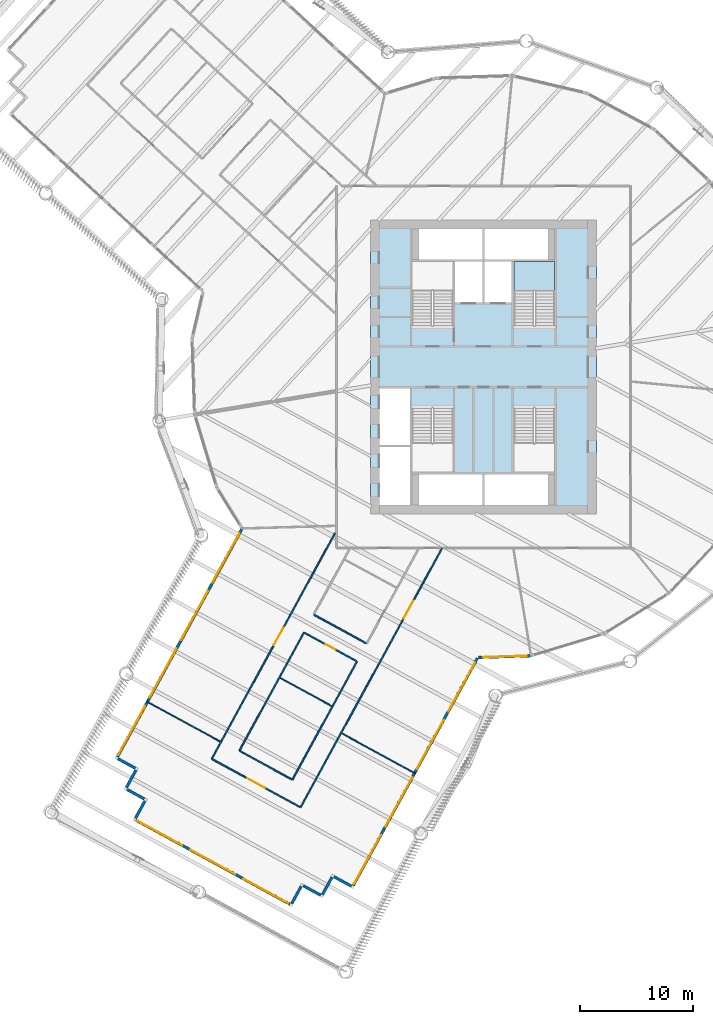
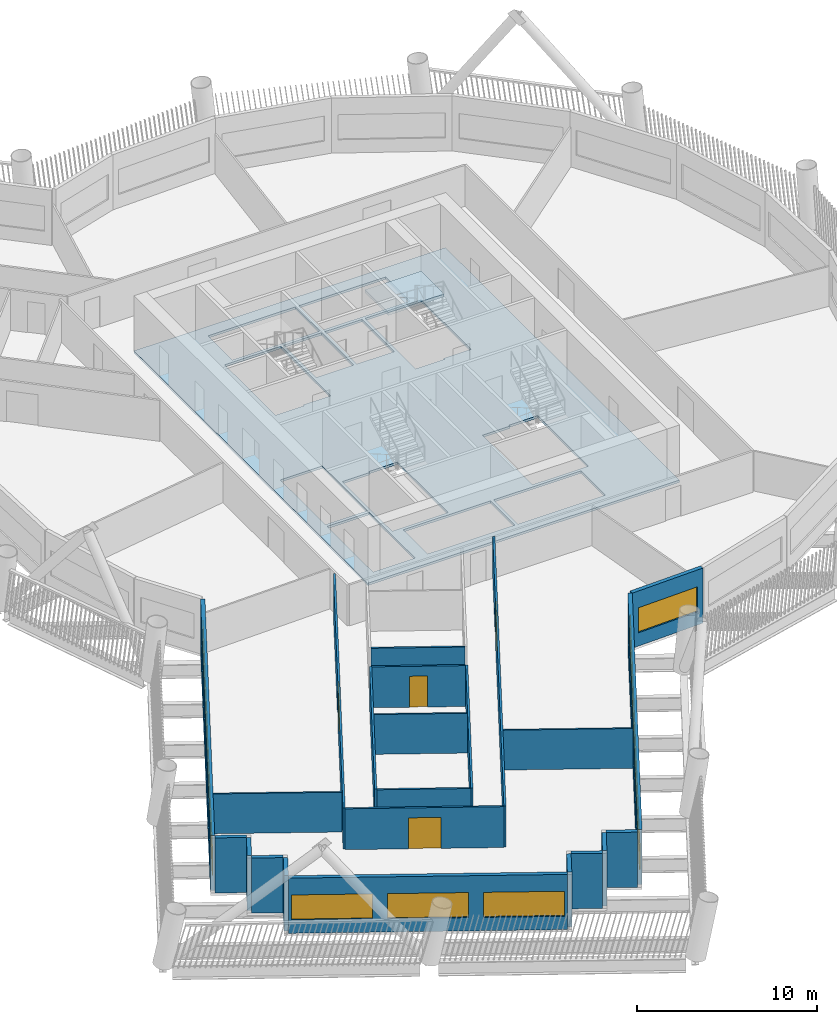
# One storey, part 3 of 24: 23 walls, 12 windows, 4 doors, 2 slabs, 16 openings, 1 element without a shape of its own.
"""IFC4 building model written with IfcOpenShell, lengths in metres."""

from ifc_helpers import new_model, si_unit, direction, frame, frame_2d, origin, place, context, subcontext, project, spatial, polyline, rectangle, outline, extrude, material, layer, layer_set, type_object, element, fill, aggregate, save


model = new_model("IFC4")

# Units and contexts
model_context = context("Model", 3, precision=1e-05, world=origin(), true_north=direction((0.0, 1.0)))
body_context = subcontext(model_context, "Body", "Model", "MODEL_VIEW")
ifc_project = project(units=[si_unit("LENGTHUNIT", "METRE"), si_unit("AREAUNIT", "SQUARE_METRE"), si_unit("VOLUMEUNIT", "CUBIC_METRE"), si_unit("PLANEANGLEUNIT", "RADIAN"), si_unit("MASSUNIT", "GRAM", prefix="KILO")], contexts=[model_context])

# Site, building, storey
site_placement = place(None, origin())
site = spatial("IfcSite", under=ifc_project, at=site_placement, CompositionType="ELEMENT")
building_placement = place(site_placement, origin())
building = spatial("IfcBuilding", under=site, at=building_placement, Name="Tarsis Ring Headquarters", CompositionType="ELEMENT")
storey_placement = place(building_placement, frame((0.0, 0.0, 92.800048828125)))
storey = spatial("IfcBuildingStorey", under=building, at=storey_placement, Name="L20", CompositionType="ELEMENT", Elevation=92.800048828125)

# Slab
ifc_material_1 = material(Name="Concrete C40/50", Category="concrete")
ifc_layer_1 = layer(ifc_material_1, 0.159912109375)
ifc_layer_set_1 = layer_set([ifc_layer_1], Name="Core floor slab 160 C40/50")
slab_type_1 = type_object("IfcSlabType", Name="Core floor slab 160 C40/50", PredefinedType="FLOOR", material=ifc_layer_set_1)
slab_1_placement = place(storey_placement, frame((0.0, 0.0, -0.16015625)))
element("IfcSlab", 1, at=slab_1_placement, inside=storey, type_object=slab_type_1, Name="L20 core floor slab", PredefinedType="FLOOR", context=body_context, shape_type="SweptSolid", body=[
    extrude(outline(polyline([(-10.0, -13.0), (10.0, -13.0), (10.0, 13.0), (-10.0, 13.0), (-10.0, -13.0)]), holes=[polyline([(-2.5, 5.699951171875), (-0.10009765625, 5.699951171875), (-0.10009765625, 9.300048828125), (-2.5, 9.300048828125), (-2.5, 5.699951171875)]), polyline([(0.10009765625, 5.699951171875), (2.5, 5.699951171875), (2.5, 9.300048828125), (0.10009765625, 9.300048828125), (0.10009765625, 5.699951171875)]), polyline([(-9.199951171875, -12.199951171875), (-6.5, -12.199951171875), (-6.5, -7.10009765625), (-9.199951171875, -7.10009765625), (-9.199951171875, -12.199951171875)]), polyline([(-9.199951171875, -6.89990234375), (-6.5, -6.89990234375), (-6.5, -1.89990234375), (-9.199951171875, -1.89990234375), (-9.199951171875, -6.89990234375)]), polyline([(-5.699951171875, 9.5), (-0.10009765625, 9.5), (-0.10009765625, 12.199951171875), (-5.699951171875, 12.199951171875), (-5.699951171875, 9.5)]), polyline([(0.10009765625, 9.5), (5.699951171875, 9.5), (5.699951171875, 12.199951171875), (0.10009765625, 12.199951171875), (0.10009765625, 9.5)]), polyline([(-5.699951171875, -12.199951171875), (-0.10009765625, -12.199951171875), (-0.10009765625, -9.5), (-5.699951171875, -9.5), (-5.699951171875, -12.199951171875)]), polyline([(0.10009765625, -12.199951171875), (5.699951171875, -12.199951171875), (5.699951171875, -9.5), (0.10009765625, -9.5), (0.10009765625, -12.199951171875)]), polyline([(-2.699951171875, 3.760009765625), (-2.699951171875, 9.300048828125), (-6.300048828125, 9.300048828125), (-6.300048828125, 3.659912109375), (-4.4599609375, 3.659912109375), (-4.4599609375, 3.760009765625), (-2.699951171875, 3.760009765625)]), polyline([(6.300048828125, 3.760009765625), (6.300048828125, 9.300048828125), (2.699951171875, 9.300048828125), (2.699951171875, 3.659912109375), (4.5400390625, 3.659912109375), (4.5400390625, 3.760009765625), (6.300048828125, 3.760009765625)]), polyline([(-6.300048828125, -3.760009765625), (-6.300048828125, -9.300048828125), (-2.699951171875, -9.300048828125), (-2.699951171875, -3.659912109375), (-4.5400390625, -3.659912109375), (-4.5400390625, -3.760009765625), (-6.300048828125, -3.760009765625)]), polyline([(2.699951171875, -3.760009765625), (2.699951171875, -9.300048828125), (6.300048828125, -9.300048828125), (6.300048828125, -3.659912109375), (4.4599609375, -3.659912109375), (4.4599609375, -3.760009765625), (2.699951171875, -3.760009765625)])]), origin(), (0.0, 0.0, 1.0), 0.16015625),
])

# Stair, slab
ifc_material_2 = material(Name="Core stair 1760")
stair_type = type_object("IfcStairType", Name="Core stair 1760", PredefinedType="HALF_TURN_STAIR", material=ifc_material_2)
stair_placement = place(storey_placement, origin())
stair = element("IfcStair", 2, at=stair_placement, inside=storey, type_object=stair_type, Name="L20 Exit stair B", PredefinedType="HALF_TURN_STAIR")
ifc_layer_2 = layer(ifc_material_1, 0.199951171875)
ifc_layer_set_2 = layer_set([ifc_layer_2], Name="Core stair landing 200")
slab_type_2 = type_object("IfcSlabType", Name="Core stair landing 200", PredefinedType="LANDING", material=ifc_layer_set_2)
slab_2_placement = place(storey_placement, frame((0.0, 0.0, 1.75)))
slab_2 = element("IfcSlab", 3, at=slab_2_placement, type_object=slab_type_2, Name="Stair ST2 landing 1", PredefinedType="LANDING", context=body_context, shape_type="SweptSolid", body=[
    extrude(outline(polyline([(6.300048828125, 6.739990234375), (6.300048828125, 9.300048828125), (2.699951171875, 9.300048828125), (2.699951171875, 6.739990234375), (6.300048828125, 6.739990234375)])), origin(), (0.0, 0.0, 1.0), 0.199951171875),
])
aggregate(stair, [slab_2])

# Walls
ifc_material_3 = material(Name="Gypsum board on steel studs", Category="steel")
ifc_layer_3 = layer(ifc_material_3, 0.10009765625)
ifc_layer_set_3 = layer_set([ifc_layer_3], Name="FL partition 100 unrated")
wall_type_1 = type_object("IfcWallType", Name="FL partition 100 unrated", PredefinedType="PARTITIONING", material=ifc_layer_set_3)
wall_1_placement = place(storey_placement, frame((-12.51318359375, -32.384765625, 0.0), z_axis=(0.0, 0.0, 1.0), x_axis=(0.877657486479, -0.479288364585, 0.0)))
element("IfcWall", 4, at=wall_1_placement, inside=storey, type_object=wall_type_1, Name="Partition PW3", PredefinedType="PARTITIONING", context=body_context, shape_type="SweptSolid", body=[
    extrude(rectangle(XDim=7.409912109375, YDim=0.10009765625, at=frame_2d((3.705078125, 0.0))), origin(), (0.0, 0.0, 1.0), 2.699951171875),
])
wall_2_placement = place(storey_placement, frame((-29.7607421875, -29.5625, 0.0), z_axis=(0.0, 0.0, 1.0), x_axis=(0.877643626901, -0.479313742929, 0.0)))
element("IfcWall", 5, at=wall_2_placement, inside=storey, type_object=wall_type_1, Name="Partition PW3", PredefinedType="PARTITIONING", context=body_context, shape_type="SweptSolid", body=[
    extrude(rectangle(XDim=7.41015625, YDim=0.10009765625, at=frame_2d((3.705078125, 0.0))), origin(), (0.0, 0.0, 1.0), 2.699951171875),
])
wall_3_placement = place(storey_placement, frame((-17.969482421875, -27.479248046875, 0.0), z_axis=(0.0, 0.0, 1.0), x_axis=(0.877642456908, -0.479315885228, 0.0)))
element("IfcWall", 6, at=wall_3_placement, inside=storey, type_object=wall_type_1, Name="Partition PW3", PredefinedType="PARTITIONING", context=body_context, shape_type="SweptSolid", body=[
    extrude(rectangle(XDim=5.199951171875, YDim=0.10009765625, at=frame_2d((2.60009765625, 0.0))), origin(), (0.0, 0.0, 1.0), 2.699951171875),
])

# Wall, opening, door
ifc_layer_4 = layer(ifc_material_3, 0.125)
ifc_layer_set_4 = layer_set([ifc_layer_4], Name="FL partition 125 EI 60 H2770")
wall_type_2 = type_object("IfcWallType", Name="FL partition 125 EI 60 H2770", PredefinedType="PARTITIONING", material=ifc_layer_set_4)
wall_4_placement = place(storey_placement, frame((-16.16455078125, -38.9248046875, 0.0), z_axis=(0.0, 0.0, 1.0), x_axis=(0.479304574972, 0.8776486338, 0.0)))
wall_4 = element("IfcWall", 7, at=wall_4_placement, inside=storey, type_object=wall_type_2, Name="Partition PW1", PredefinedType="PARTITIONING", context=body_context, shape_type="SweptSolid", body=[
    extrude(rectangle(XDim=26.12060546875, YDim=0.125, at=frame_2d((13.060302734375, 0.0))), origin(), (0.0, 0.0, 1.0), 2.77001953125),
])
opening_1_placement = place(wall_4_placement, frame((19.015380859375, 0.0, 0.0)))
opening_1 = element("IfcOpeningElement", 8, at=opening_1_placement, cuts=wall_4, Name="Opening D20.08", PredefinedType="OPENING", context=body_context, shape_type="SweptSolid", body=[
    extrude(rectangle(XDim=1.800048828125, YDim=2.10009765625, at=frame_2d((0.89990234375, 1.050048828125))), frame((0.0, 0.072509765625, 0.0), z_axis=(0.0, -1.0, 0.0), x_axis=(1.0, 0.0, 0.0)), (0.0, 0.0, 1.0), 0.14501953125),
])
ifc_material_4 = material(Name="Fire-rated timber door leaf in steel frame", Category="steel")
door_type_1 = type_object("IfcDoorType", Name="FL door FD60-1800", OperationType="DOUBLE_DOOR_SINGLE_SWING", PredefinedType="DOOR", material=ifc_material_4)
door_1_placement = place(opening_1_placement, origin())
door_1 = element("IfcDoor", 9, at=door_1_placement, inside=storey, type_object=door_type_1, Name="Door D20.08", OperationType="DOUBLE_DOOR_SINGLE_SWING", OverallHeight=2.10009765625, OverallWidth=1.800048828125, PredefinedType="DOOR", context=body_context, shape_type="SweptSolid", body=[
    extrude(rectangle(XDim=1.800048828125, YDim=2.10009765625, at=frame_2d((0.89990234375, 1.050048828125))), frame((0.0, 0.02490234375, 0.0), z_axis=(0.0, -1.0, 0.0), x_axis=(1.0, 0.0, 0.0)), (0.0, 0.0, 1.0), 0.050048828125),
])
fill(opening_1, door_1)

wall_5_placement = place(storey_placement, frame((-24.0107421875, -34.639892578125, 0.0), z_axis=(0.0, 0.0, 1.0), x_axis=(0.479300142927, 0.877651054229, 0.0)))
wall_5 = element("IfcWall", 10, at=wall_5_placement, inside=storey, type_object=wall_type_2, Name="Partition PW1", PredefinedType="PARTITIONING", context=body_context, shape_type="SweptSolid", body=[
    extrude(rectangle(XDim=22.75244140625, YDim=0.125, at=frame_2d((11.376220703125, 0.0))), origin(), (0.0, 0.0, 1.0), 2.77001953125),
])
opening_2_placement = place(wall_5_placement, frame((11.437744140625, 0.0, 0.0)))
opening_2 = element("IfcOpeningElement", 11, at=opening_2_placement, cuts=wall_5, Name="Opening D20.10", PredefinedType="OPENING", context=body_context, shape_type="SweptSolid", body=[
    extrude(rectangle(XDim=1.800048828125, YDim=2.10009765625, at=frame_2d((0.89990234375, 1.050048828125))), frame((0.0, 0.072509765625, 0.0), z_axis=(0.0, -1.0, 0.0), x_axis=(1.0, 0.0, 0.0)), (0.0, 0.0, 1.0), 0.14501953125),
])
door_2_placement = place(opening_2_placement, origin())
door_2 = element("IfcDoor", 12, at=door_2_placement, inside=storey, type_object=door_type_1, Name="Door D20.10", OperationType="DOUBLE_DOOR_SINGLE_SWING", OverallHeight=2.10009765625, OverallWidth=1.800048828125, PredefinedType="DOOR", context=body_context, shape_type="SweptSolid", body=[
    extrude(rectangle(XDim=1.800048828125, YDim=2.10009765625, at=frame_2d((0.89990234375, 1.050048828125))), frame((0.0, 0.02490234375, 0.0), z_axis=(0.0, -1.0, 0.0), x_axis=(1.0, 0.0, 0.0)), (0.0, 0.0, 1.0), 0.050048828125),
])
fill(opening_2, door_2)

# Walls
wall_6_placement = place(storey_placement, frame((-21.568115234375, -33.922607421875, 0.0), z_axis=(0.0, 0.0, 1.0), x_axis=(0.479308789937, 0.877646331895, 0.0)))
element("IfcWall", 13, at=wall_6_placement, inside=storey, type_object=wall_type_2, Name="Partition PW1", PredefinedType="PARTITIONING", context=body_context, shape_type="SweptSolid", body=[
    extrude(rectangle(XDim=11.909912109375, YDim=0.125, at=frame_2d((5.955078125, 0.0))), origin(), (0.0, 0.0, 1.0), 2.77001953125),
])
wall_7_placement = place(storey_placement, frame((-16.881591796875, -36.482177734375, 0.0), z_axis=(0.0, 0.0, 1.0), x_axis=(0.479300166865, 0.877651041157, 0.0)))
element("IfcWall", 14, at=wall_7_placement, inside=storey, type_object=wall_type_2, Name="Partition PW1", PredefinedType="PARTITIONING", context=body_context, shape_type="SweptSolid", body=[
    extrude(rectangle(XDim=11.91015625, YDim=0.125, at=frame_2d((5.955078125, 0.0))), origin(), (0.0, 0.0, 1.0), 2.77001953125),
])

# Wall, opening, door
wall_8_placement = place(storey_placement, frame((-23.9580078125, -34.66845703125, 0.0), z_axis=(0.0, 0.0, 1.0), x_axis=(0.877641563631, -0.479317520843, 0.0)))
wall_8 = element("IfcWall", 15, at=wall_8_placement, inside=storey, type_object=wall_type_2, Name="Partition PW1", PredefinedType="PARTITIONING", context=body_context, shape_type="SweptSolid", body=[
    extrude(rectangle(XDim=8.81982421875, YDim=0.125, at=frame_2d((4.409912109375, 0.0))), origin(), (0.0, 0.0, 1.0), 2.77001953125),
])
opening_3_placement = place(wall_8_placement, frame((3.510009765625, 0.0, 0.0)))
opening_3 = element("IfcOpeningElement", 16, at=opening_3_placement, cuts=wall_8, Name="Opening D20.09", PredefinedType="OPENING", context=body_context, shape_type="SweptSolid", body=[
    extrude(rectangle(XDim=1.800048828125, YDim=2.10009765625, at=frame_2d((0.89990234375, 1.050048828125))), frame((0.0, 0.072509765625, 0.0), z_axis=(0.0, -1.0, 0.0), x_axis=(1.0, 0.0, 0.0)), (0.0, 0.0, 1.0), 0.14501953125),
])
door_3_placement = place(opening_3_placement, origin())
door_3 = element("IfcDoor", 17, at=door_3_placement, inside=storey, type_object=door_type_1, Name="Door D20.09", OperationType="DOUBLE_DOOR_SINGLE_SWING", OverallHeight=2.10009765625, OverallWidth=1.800048828125, PredefinedType="DOOR", context=body_context, shape_type="SweptSolid", body=[
    extrude(rectangle(XDim=1.800048828125, YDim=2.10009765625, at=frame_2d((0.89990234375, 1.050048828125))), frame((0.0, 0.02490234375, 0.0), z_axis=(0.0, -1.0, 0.0), x_axis=(1.0, 0.0, 0.0)), (0.0, 0.0, 1.0), 0.050048828125),
])
fill(opening_3, door_3)

# Walls
wall_9_placement = place(storey_placement, frame((-14.9443359375, -21.9189453125, 0.0), z_axis=(0.0, 0.0, 1.0), x_axis=(0.877648794088, -0.479304281471, 0.0)))
element("IfcWall", 18, at=wall_9_placement, inside=storey, type_object=wall_type_2, Name="Partition PW1", PredefinedType="PARTITIONING", context=body_context, shape_type="SweptSolid", body=[
    extrude(rectangle(XDim=5.219970703125, YDim=0.125, at=frame_2d((2.60986328125, 0.0))), origin(), (0.0, 0.0, 1.0), 2.77001953125),
])
wall_10_placement = place(storey_placement, frame((-21.515625, -33.951416015625, 0.0), z_axis=(0.0, 0.0, 1.0), x_axis=(0.877639864689, -0.479320631632, 0.0)))
element("IfcWall", 19, at=wall_10_placement, inside=storey, type_object=wall_type_2, Name="Partition PW1", PredefinedType="PARTITIONING", context=body_context, shape_type="SweptSolid", body=[
    extrude(rectangle(XDim=5.22021484375, YDim=0.125, at=frame_2d((2.610107421875, 0.0))), origin(), (0.0, 0.0, 1.0), 2.77001953125),
])

# Wall, opening, door
wall_11_placement = place(storey_placement, frame((-15.80712890625, -23.498779296875, 0.0), z_axis=(0.0, 0.0, 1.0), x_axis=(0.877659538139, -0.479284607633, 0.0)))
wall_11 = element("IfcWall", 20, at=wall_11_placement, inside=storey, type_object=wall_type_2, Name="Partition PW1", PredefinedType="PARTITIONING", context=body_context, shape_type="SweptSolid", body=[
    extrude(rectangle(XDim=5.22021484375, YDim=0.125, at=frame_2d((2.610107421875, 0.0))), origin(), (0.0, 0.0, 1.0), 2.77001953125),
])
opening_4_placement = place(wall_11_placement, frame((2.110107421875, 0.0, 0.0)))
opening_4 = element("IfcOpeningElement", 21, at=opening_4_placement, cuts=wall_11, Name="Opening D20.18", PredefinedType="OPENING", context=body_context, shape_type="SweptSolid", body=[
    extrude(rectangle(XDim=1.0, YDim=2.10009765625, at=frame_2d((0.5, 1.050048828125))), frame((0.0, 0.072509765625, 0.0), z_axis=(0.0, -1.0, 0.0), x_axis=(1.0, 0.0, 0.0)), (0.0, 0.0, 1.0), 0.14501953125),
])
door_type_2 = type_object("IfcDoorType", Name="FL door FD60-1000", OperationType="NOTDEFINED", PredefinedType="DOOR", material=ifc_material_4)
door_4_placement = place(opening_4_placement, origin())
door_4 = element("IfcDoor", 22, at=door_4_placement, inside=storey, type_object=door_type_2, Name="Door D20.18", OperationType="SINGLE_SWING_RIGHT", OverallHeight=2.10009765625, OverallWidth=1.0, PredefinedType="DOOR", context=body_context, shape_type="SweptSolid", body=[
    extrude(rectangle(XDim=1.0, YDim=2.10009765625, at=frame_2d((0.5, 1.050048828125))), frame((0.0, 0.02490234375, 0.0), z_axis=(0.0, -1.0, 0.0), x_axis=(1.0, 0.0, 0.0)), (0.0, 0.0, 1.0), 0.050048828125),
])
fill(opening_4, door_4)

# Wall, openings, windows
ifc_material_5 = material(Name="Terracotta clad insulated panel wall", Category="masonry")
ifc_layer_5 = layer(ifc_material_5, 0.25)
ifc_layer_set_5 = layer_set([ifc_layer_5], Name="Facade wall terracotta panel 250")
wall_type_3 = type_object("IfcWallType", Name="Facade wall terracotta panel 250", PredefinedType="STANDARD", material=ifc_layer_set_5)
wall_12_placement = place(storey_placement, frame((-21.363525390625, -14.34326171875, 0.0), z_axis=(0.0, 0.0, 1.0), x_axis=(-0.479311749688, -0.877644715481, 0.0)))
wall_12 = element("IfcWall", 23, at=wall_12_placement, inside=storey, type_object=wall_type_3, Name="External wall L20-06", PredefinedType="STANDARD", context=body_context, shape_type="SweptSolid", body=[
    extrude(rectangle(XDim=22.922119140625, YDim=0.25, at=frame_2d((11.4609375, 0.0))), origin(), (0.0, 0.0, 1.0), 3.739990234375),
])
opening_5_placement = place(wall_12_placement, frame((0.42138671875, 0.0, 0.89990234375)))
opening_5 = element("IfcOpeningElement", 24, at=opening_5_placement, cuts=wall_12, Name="Opening WN05", PredefinedType="OPENING", context=body_context, shape_type="SweptSolid", body=[
    extrude(rectangle(XDim=4.949951171875, YDim=1.699951171875, at=frame_2d((2.47509765625, 0.85009765625))), frame((0.0, 0.135009765625, 0.0), z_axis=(0.0, -1.0, 0.0), x_axis=(1.0, 0.0, 0.0)), (0.0, 0.0, 1.0), 0.27001953125),
])
opening_6_placement = place(wall_12_placement, frame((6.214599609375, 0.0, 0.89990234375)))
opening_6 = element("IfcOpeningElement", 25, at=opening_6_placement, cuts=wall_12, Name="Opening WN05", PredefinedType="OPENING", context=body_context, shape_type="SweptSolid", body=[
    extrude(rectangle(XDim=4.949951171875, YDim=1.699951171875, at=frame_2d((2.47509765625, 0.85009765625))), frame((0.0, 0.135009765625, 0.0), z_axis=(0.0, -1.0, 0.0), x_axis=(1.0, 0.0, 0.0)), (0.0, 0.0, 1.0), 0.27001953125),
])
opening_7_placement = place(wall_12_placement, frame((12.007568359375, 0.0, 0.89990234375)))
opening_7 = element("IfcOpeningElement", 26, at=opening_7_placement, cuts=wall_12, Name="Opening WN05", PredefinedType="OPENING", context=body_context, shape_type="SweptSolid", body=[
    extrude(rectangle(XDim=4.949951171875, YDim=1.699951171875, at=frame_2d((2.47509765625, 0.85009765625))), frame((0.0, 0.135009765625, 0.0), z_axis=(0.0, -1.0, 0.0), x_axis=(1.0, 0.0, 0.0)), (0.0, 0.0, 1.0), 0.27001953125),
])
opening_8_placement = place(wall_12_placement, frame((17.800537109375, 0.0, 0.89990234375)))
opening_8 = element("IfcOpeningElement", 27, at=opening_8_placement, cuts=wall_12, Name="Opening WN05", PredefinedType="OPENING", context=body_context, shape_type="SweptSolid", body=[
    extrude(rectangle(XDim=4.949951171875, YDim=1.699951171875, at=frame_2d((2.47509765625, 0.85009765625))), frame((0.0, 0.135009765625, 0.0), z_axis=(0.0, -1.0, 0.0), x_axis=(1.0, 0.0, 0.0)), (0.0, 0.0, 1.0), 0.27001953125),
])
ifc_material_6 = material(Name="Aluminium framed double glazing", Category="aluminium")
window_type_1 = type_object("IfcWindowType", Name="Facade window 4950 x 1700", PartitioningType="SINGLE_PANEL", PredefinedType="WINDOW", material=ifc_material_6)
window_1_placement = place(opening_5_placement, origin())
window_1 = element("IfcWindow", 28, at=window_1_placement, inside=storey, type_object=window_type_1, Name="Window L20-06.1", OverallHeight=1.699951171875, OverallWidth=4.949951171875, PartitioningType="SINGLE_PANEL", PredefinedType="WINDOW", context=body_context, shape_type="SweptSolid", body=[
    extrude(rectangle(XDim=4.949951171875, YDim=1.699951171875, at=frame_2d((2.47509765625, 0.85009765625))), frame((0.0, 0.030029296875, 0.0), z_axis=(0.0, -1.0, 0.0), x_axis=(1.0, 0.0, 0.0)), (0.0, 0.0, 1.0), 0.06005859375),
])
fill(opening_5, window_1)
window_2_placement = place(opening_6_placement, origin())
window_2 = element("IfcWindow", 29, at=window_2_placement, inside=storey, type_object=window_type_1, Name="Window L20-06.2", OverallHeight=1.699951171875, OverallWidth=4.949951171875, PartitioningType="SINGLE_PANEL", PredefinedType="WINDOW", context=body_context, shape_type="SweptSolid", body=[
    extrude(rectangle(XDim=4.949951171875, YDim=1.699951171875, at=frame_2d((2.47509765625, 0.85009765625))), frame((0.0, 0.030029296875, 0.0), z_axis=(0.0, -1.0, 0.0), x_axis=(1.0, 0.0, 0.0)), (0.0, 0.0, 1.0), 0.06005859375),
])
fill(opening_6, window_2)
window_3_placement = place(opening_7_placement, origin())
window_3 = element("IfcWindow", 30, at=window_3_placement, inside=storey, type_object=window_type_1, Name="Window L20-06.3", OverallHeight=1.699951171875, OverallWidth=4.949951171875, PartitioningType="SINGLE_PANEL", PredefinedType="WINDOW", context=body_context, shape_type="SweptSolid", body=[
    extrude(rectangle(XDim=4.949951171875, YDim=1.699951171875, at=frame_2d((2.47509765625, 0.85009765625))), frame((0.0, 0.030029296875, 0.0), z_axis=(0.0, -1.0, 0.0), x_axis=(1.0, 0.0, 0.0)), (0.0, 0.0, 1.0), 0.06005859375),
])
fill(opening_7, window_3)
window_4_placement = place(opening_8_placement, origin())
window_4 = element("IfcWindow", 31, at=window_4_placement, inside=storey, type_object=window_type_1, Name="Window L20-06.4", OverallHeight=1.699951171875, OverallWidth=4.949951171875, PartitioningType="SINGLE_PANEL", PredefinedType="WINDOW", context=body_context, shape_type="SweptSolid", body=[
    extrude(rectangle(XDim=4.949951171875, YDim=1.699951171875, at=frame_2d((2.47509765625, 0.85009765625))), frame((0.0, 0.030029296875, 0.0), z_axis=(0.0, -1.0, 0.0), x_axis=(1.0, 0.0, 0.0)), (0.0, 0.0, 1.0), 0.06005859375),
])
fill(opening_8, window_4)

# Walls
for number, where, z_axis, x_axis, name in (
    (32, (-32.300537109375, -34.63037109375, 0.0), (0.0, 0.0, 1.0), (0.8776875509, -0.479233307477, 0.0), "External wall L20-07"),
    (33, (-30.71484375, -35.638671875, 0.0), (0.0, 0.0, 1.0), (-0.479233307477, -0.8776875509, 0.0), "External wall L20-08"),
    (34, (-31.50390625, -37.34423828125, 0.0), (0.0, 0.0, 1.0), (0.877628865936, -0.479340769887, 0.0), "External wall L20-09"),
    (35, (-29.918212890625, -38.3525390625, 0.0), (0.0, 0.0, 1.0), (-0.479233307477, -0.8776875509, 0.0), "External wall L20-10"),
):
    element("IfcWall", number, at=place(storey_placement, frame(where, z_axis=z_axis, x_axis=x_axis)), inside=storey, type_object=wall_type_3, Name=name, PredefinedType="STANDARD", context=body_context, shape_type="SweptSolid", body=[
        extrude(rectangle(XDim=1.75, YDim=0.25, at=frame_2d((0.875, 0.0))), origin(), (0.0, 0.0, 1.0), 3.739990234375),
    ])

# Wall, openings, windows
wall_13_placement = place(storey_placement, frame((-30.70703125, -40.05810546875, 0.0), z_axis=(0.0, 0.0, 1.0), x_axis=(0.87764865638, -0.479304533626, 0.0)))
wall_13 = element("IfcWall", 36, at=wall_13_placement, inside=storey, type_object=wall_type_3, Name="External wall L20-11", PredefinedType="STANDARD", context=body_context, shape_type="SweptSolid", body=[
    extrude(rectangle(XDim=15.5, YDim=0.25, at=frame_2d((7.75, 0.0))), origin(), (0.0, 0.0, 1.0), 3.739990234375),
])
opening_9_placement = place(wall_13_placement, frame((0.166748046875, 0.0, 0.89990234375)))
opening_9 = element("IfcOpeningElement", 37, at=opening_9_placement, cuts=wall_13, Name="Opening WN04", PredefinedType="OPENING", context=body_context, shape_type="SweptSolid", body=[
    extrude(rectangle(XDim=4.5, YDim=1.699951171875, at=frame_2d((2.25, 0.85009765625))), frame((0.0, 0.135009765625, 0.0), z_axis=(0.0, -1.0, 0.0), x_axis=(1.0, 0.0, 0.0)), (0.0, 0.0, 1.0), 0.27001953125),
])
opening_10_placement = place(wall_13_placement, frame((5.5, 0.0, 0.89990234375)))
opening_10 = element("IfcOpeningElement", 38, at=opening_10_placement, cuts=wall_13, Name="Opening WN04", PredefinedType="OPENING", context=body_context, shape_type="SweptSolid", body=[
    extrude(rectangle(XDim=4.5, YDim=1.699951171875, at=frame_2d((2.25, 0.85009765625))), frame((0.0, 0.135009765625, 0.0), z_axis=(0.0, -1.0, 0.0), x_axis=(1.0, 0.0, 0.0)), (0.0, 0.0, 1.0), 0.27001953125),
])
opening_11_placement = place(wall_13_placement, frame((10.833251953125, 0.0, 0.89990234375)))
opening_11 = element("IfcOpeningElement", 39, at=opening_11_placement, cuts=wall_13, Name="Opening WN04", PredefinedType="OPENING", context=body_context, shape_type="SweptSolid", body=[
    extrude(rectangle(XDim=4.5, YDim=1.699951171875, at=frame_2d((2.25, 0.85009765625))), frame((0.0, 0.135009765625, 0.0), z_axis=(0.0, -1.0, 0.0), x_axis=(1.0, 0.0, 0.0)), (0.0, 0.0, 1.0), 0.27001953125),
])
window_type_2 = type_object("IfcWindowType", Name="Facade window 4500 x 1700", PartitioningType="SINGLE_PANEL", PredefinedType="WINDOW", material=ifc_material_6)
window_5_placement = place(opening_9_placement, origin())
window_5 = element("IfcWindow", 40, at=window_5_placement, inside=storey, type_object=window_type_2, Name="Window L20-11.1", OverallHeight=1.699951171875, OverallWidth=4.5, PartitioningType="SINGLE_PANEL", PredefinedType="WINDOW", context=body_context, shape_type="SweptSolid", body=[
    extrude(rectangle(XDim=4.5, YDim=1.699951171875, at=frame_2d((2.25, 0.85009765625))), frame((0.0, 0.030029296875, 0.0), z_axis=(0.0, -1.0, 0.0), x_axis=(1.0, 0.0, 0.0)), (0.0, 0.0, 1.0), 0.06005859375),
])
fill(opening_9, window_5)
window_6_placement = place(opening_10_placement, origin())
window_6 = element("IfcWindow", 41, at=window_6_placement, inside=storey, type_object=window_type_2, Name="Window L20-11.2", OverallHeight=1.699951171875, OverallWidth=4.5, PartitioningType="SINGLE_PANEL", PredefinedType="WINDOW", context=body_context, shape_type="SweptSolid", body=[
    extrude(rectangle(XDim=4.5, YDim=1.699951171875, at=frame_2d((2.25, 0.85009765625))), frame((0.0, 0.030029296875, 0.0), z_axis=(0.0, -1.0, 0.0), x_axis=(1.0, 0.0, 0.0)), (0.0, 0.0, 1.0), 0.06005859375),
])
fill(opening_10, window_6)
window_7_placement = place(opening_11_placement, origin())
window_7 = element("IfcWindow", 42, at=window_7_placement, inside=storey, type_object=window_type_2, Name="Window L20-11.3", OverallHeight=1.699951171875, OverallWidth=4.5, PartitioningType="SINGLE_PANEL", PredefinedType="WINDOW", context=body_context, shape_type="SweptSolid", body=[
    extrude(rectangle(XDim=4.5, YDim=1.699951171875, at=frame_2d((2.25, 0.85009765625))), frame((0.0, 0.030029296875, 0.0), z_axis=(0.0, -1.0, 0.0), x_axis=(1.0, 0.0, 0.0)), (0.0, 0.0, 1.0), 0.06005859375),
])
fill(opening_11, window_7)

# Walls
for number, where, z_axis, x_axis, name in (
    (43, (-16.933837890625, -47.4375, 0.0), (0.0, 0.0, 1.0), (0.479233307477, 0.8776875509, 0.0), "External wall L20-12"),
    (44, (-15.925537109375, -45.851806640625, 0.0), (0.0, 0.0, 1.0), (0.877628865936, -0.479340769887, 0.0), "External wall L20-13"),
    (45, (-14.219970703125, -46.640869140625, 0.0), (0.0, 0.0, 1.0), (0.479233307477, 0.8776875509, 0.0), "External wall L20-14"),
    (46, (-13.211669921875, -45.05517578125, 0.0), (0.0, 0.0, 1.0), (0.877628865936, -0.479340769887, 0.0), "External wall L20-15"),
):
    element("IfcWall", number, at=place(storey_placement, frame(where, z_axis=z_axis, x_axis=x_axis)), inside=storey, type_object=wall_type_3, Name=name, PredefinedType="STANDARD", context=body_context, shape_type="SweptSolid", body=[
        extrude(rectangle(XDim=1.75, YDim=0.25, at=frame_2d((0.875, 0.0))), origin(), (0.0, 0.0, 1.0), 3.739990234375),
    ])

# Wall, openings, windows
wall_14_placement = place(storey_placement, frame((-11.506103515625, -45.84423828125, 0.0), z_axis=(0.0, 0.0, 1.0), x_axis=(0.479306937223, 0.877647343715, 0.0)))
wall_14 = element("IfcWall", 47, at=wall_14_placement, inside=storey, type_object=wall_type_3, Name="External wall L20-16", PredefinedType="STANDARD", context=body_context, shape_type="SweptSolid", body=[
    extrude(rectangle(XDim=22.9013671875, YDim=0.25, at=frame_2d((11.45068359375, 0.0))), origin(), (0.0, 0.0, 1.0), 3.739990234375),
])
opening_12_placement = place(wall_14_placement, frame((0.1689453125, 0.0, 0.89990234375)))
opening_12 = element("IfcOpeningElement", 48, at=opening_12_placement, cuts=wall_14, Name="Opening WN05", PredefinedType="OPENING", context=body_context, shape_type="SweptSolid", body=[
    extrude(rectangle(XDim=4.949951171875, YDim=1.699951171875, at=frame_2d((2.47509765625, 0.85009765625))), frame((0.0, 0.135009765625, 0.0), z_axis=(0.0, -1.0, 0.0), x_axis=(1.0, 0.0, 0.0)), (0.0, 0.0, 1.0), 0.27001953125),
])
opening_13_placement = place(wall_14_placement, frame((5.956787109375, 0.0, 0.89990234375)))
opening_13 = element("IfcOpeningElement", 49, at=opening_13_placement, cuts=wall_14, Name="Opening WN05", PredefinedType="OPENING", context=body_context, shape_type="SweptSolid", body=[
    extrude(rectangle(XDim=4.949951171875, YDim=1.699951171875, at=frame_2d((2.47509765625, 0.85009765625))), frame((0.0, 0.135009765625, 0.0), z_axis=(0.0, -1.0, 0.0), x_axis=(1.0, 0.0, 0.0)), (0.0, 0.0, 1.0), 0.27001953125),
])
opening_14_placement = place(wall_14_placement, frame((11.74462890625, 0.0, 0.89990234375)))
opening_14 = element("IfcOpeningElement", 50, at=opening_14_placement, cuts=wall_14, Name="Opening WN05", PredefinedType="OPENING", context=body_context, shape_type="SweptSolid", body=[
    extrude(rectangle(XDim=4.949951171875, YDim=1.699951171875, at=frame_2d((2.47509765625, 0.85009765625))), frame((0.0, 0.135009765625, 0.0), z_axis=(0.0, -1.0, 0.0), x_axis=(1.0, 0.0, 0.0)), (0.0, 0.0, 1.0), 0.27001953125),
])
opening_15_placement = place(wall_14_placement, frame((17.532470703125, 0.0, 0.89990234375)))
opening_15 = element("IfcOpeningElement", 51, at=opening_15_placement, cuts=wall_14, Name="Opening WN05", PredefinedType="OPENING", context=body_context, shape_type="SweptSolid", body=[
    extrude(rectangle(XDim=4.949951171875, YDim=1.699951171875, at=frame_2d((2.47509765625, 0.85009765625))), frame((0.0, 0.135009765625, 0.0), z_axis=(0.0, -1.0, 0.0), x_axis=(1.0, 0.0, 0.0)), (0.0, 0.0, 1.0), 0.27001953125),
])
window_8_placement = place(opening_12_placement, origin())
window_8 = element("IfcWindow", 52, at=window_8_placement, inside=storey, type_object=window_type_1, Name="Window L20-16.1", OverallHeight=1.699951171875, OverallWidth=4.949951171875, PartitioningType="SINGLE_PANEL", PredefinedType="WINDOW", context=body_context, shape_type="SweptSolid", body=[
    extrude(rectangle(XDim=4.949951171875, YDim=1.699951171875, at=frame_2d((2.47509765625, 0.85009765625))), frame((0.0, 0.030029296875, 0.0), z_axis=(0.0, -1.0, 0.0), x_axis=(1.0, 0.0, 0.0)), (0.0, 0.0, 1.0), 0.06005859375),
])
fill(opening_12, window_8)
window_9_placement = place(opening_13_placement, origin())
window_9 = element("IfcWindow", 53, at=window_9_placement, inside=storey, type_object=window_type_1, Name="Window L20-16.2", OverallHeight=1.699951171875, OverallWidth=4.949951171875, PartitioningType="SINGLE_PANEL", PredefinedType="WINDOW", context=body_context, shape_type="SweptSolid", body=[
    extrude(rectangle(XDim=4.949951171875, YDim=1.699951171875, at=frame_2d((2.47509765625, 0.85009765625))), frame((0.0, 0.030029296875, 0.0), z_axis=(0.0, -1.0, 0.0), x_axis=(1.0, 0.0, 0.0)), (0.0, 0.0, 1.0), 0.06005859375),
])
fill(opening_13, window_9)
window_10_placement = place(opening_14_placement, origin())
window_10 = element("IfcWindow", 54, at=window_10_placement, inside=storey, type_object=window_type_1, Name="Window L20-16.3", OverallHeight=1.699951171875, OverallWidth=4.949951171875, PartitioningType="SINGLE_PANEL", PredefinedType="WINDOW", context=body_context, shape_type="SweptSolid", body=[
    extrude(rectangle(XDim=4.949951171875, YDim=1.699951171875, at=frame_2d((2.47509765625, 0.85009765625))), frame((0.0, 0.030029296875, 0.0), z_axis=(0.0, -1.0, 0.0), x_axis=(1.0, 0.0, 0.0)), (0.0, 0.0, 1.0), 0.06005859375),
])
fill(opening_14, window_10)
window_11_placement = place(opening_15_placement, origin())
window_11 = element("IfcWindow", 55, at=window_11_placement, inside=storey, type_object=window_type_1, Name="Window L20-16.4", OverallHeight=1.699951171875, OverallWidth=4.949951171875, PartitioningType="SINGLE_PANEL", PredefinedType="WINDOW", context=body_context, shape_type="SweptSolid", body=[
    extrude(rectangle(XDim=4.949951171875, YDim=1.699951171875, at=frame_2d((2.47509765625, 0.85009765625))), frame((0.0, 0.030029296875, 0.0), z_axis=(0.0, -1.0, 0.0), x_axis=(1.0, 0.0, 0.0)), (0.0, 0.0, 1.0), 0.06005859375),
])
fill(opening_15, window_11)

# Wall, opening, window
wall_15_placement = place(storey_placement, frame((-0.423828125, -25.679931640625, 0.0), z_axis=(0.0, 0.0, 1.0), x_axis=(0.999473000785, 0.0324610644, 0.0)))
wall_15 = element("IfcWall", 56, at=wall_15_placement, inside=storey, type_object=wall_type_3, Name="External wall L20-17", PredefinedType="STANDARD", context=body_context, shape_type="SweptSolid", body=[
    extrude(rectangle(XDim=4.617919921875, YDim=0.25, at=frame_2d((2.30908203125, 0.0))), origin(), (0.0, 0.0, 1.0), 3.739990234375),
])
opening_16_placement = place(wall_15_placement, frame((0.400390625, 0.0, 0.89990234375)))
opening_16 = element("IfcOpeningElement", 57, at=opening_16_placement, cuts=wall_15, Name="Opening WN02", PredefinedType="OPENING", context=body_context, shape_type="SweptSolid", body=[
    extrude(rectangle(XDim=3.85009765625, YDim=1.699951171875, at=frame_2d((1.925048828125, 0.85009765625))), frame((0.0, 0.135009765625, 0.0), z_axis=(0.0, -1.0, 0.0), x_axis=(1.0, 0.0, 0.0)), (0.0, 0.0, 1.0), 0.27001953125),
])
window_type_3 = type_object("IfcWindowType", Name="Facade window 3850 x 1700", PartitioningType="SINGLE_PANEL", PredefinedType="WINDOW", material=ifc_material_6)
window_12_placement = place(opening_16_placement, origin())
window_12 = element("IfcWindow", 58, at=window_12_placement, inside=storey, type_object=window_type_3, Name="Window L20-17.1", OverallHeight=1.699951171875, OverallWidth=3.85009765625, PartitioningType="SINGLE_PANEL", PredefinedType="WINDOW", context=body_context, shape_type="SweptSolid", body=[
    extrude(rectangle(XDim=3.85009765625, YDim=1.699951171875, at=frame_2d((1.925048828125, 0.85009765625))), frame((0.0, 0.030029296875, 0.0), z_axis=(0.0, -1.0, 0.0), x_axis=(1.0, 0.0, 0.0)), (0.0, 0.0, 1.0), 0.06005859375),
])
fill(opening_16, window_12)

save(model, "model.ifc")
